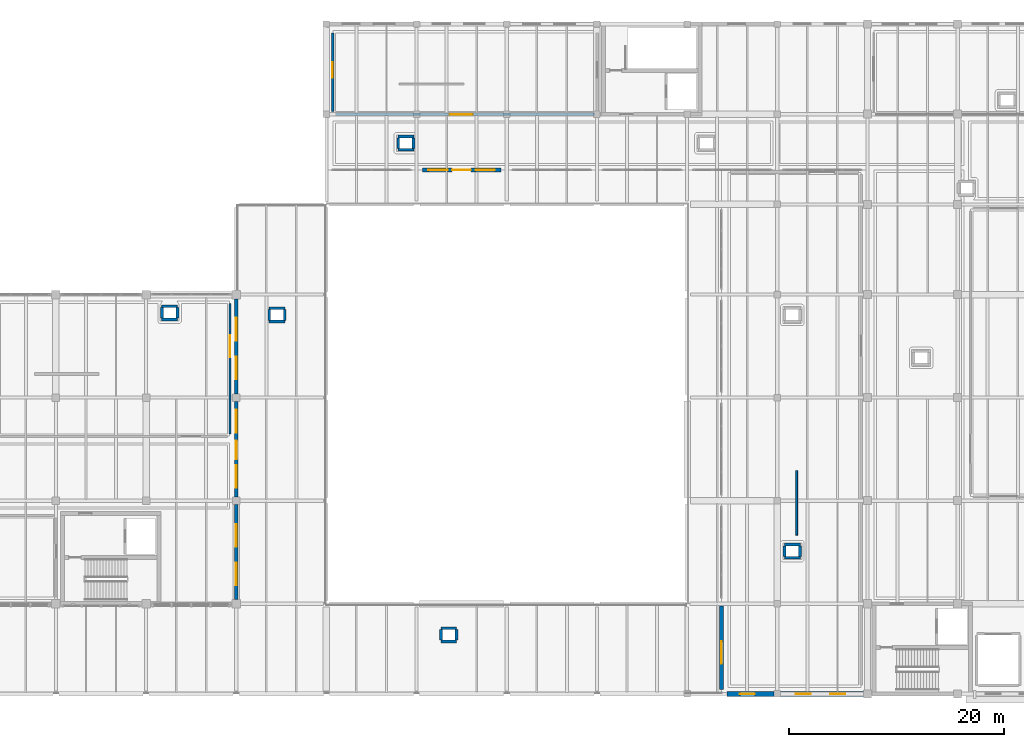
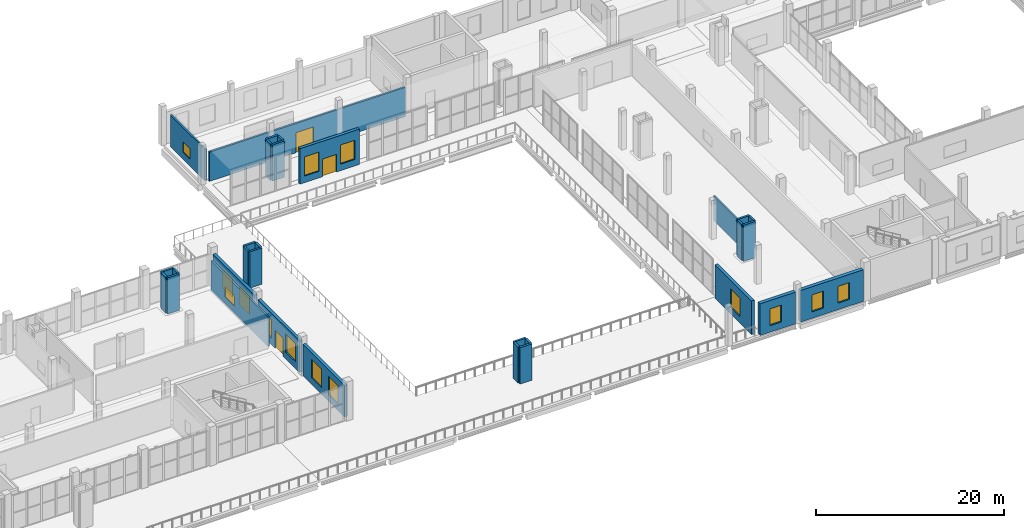
# One storey, part 60 of 77: 31 walls, 14 windows, 3 doors, 17 openings.
"""IFC4 building model written with IfcOpenShell, lengths in metres."""

from ifc_helpers import new_model, si_unit, direction, frame, frame_2d, origin, place, context, subcontext, project, spatial, rectangle, extrude, material, layer, layer_set, type_object, element, fill, save


model = new_model("IFC4")

# Units and contexts
model_context = context("Model", 3, precision=1e-05, world=origin(), true_north=direction((0.0, 1.0)))
body_context = subcontext(model_context, "Body", "Model", "MODEL_VIEW")
ifc_project = project(units=[si_unit("LENGTHUNIT", "METRE"), si_unit("AREAUNIT", "SQUARE_METRE"), si_unit("VOLUMEUNIT", "CUBIC_METRE"), si_unit("PLANEANGLEUNIT", "RADIAN"), si_unit("MASSUNIT", "GRAM", prefix="KILO")], contexts=[model_context])

# Site, building, storey
site_placement = place(None, origin())
site = spatial("IfcSite", under=ifc_project, at=site_placement, CompositionType="ELEMENT")
building_placement = place(site_placement, origin())
building = spatial("IfcBuilding", under=site, at=building_placement, Name="Zulmaris Art Gallery", CompositionType="ELEMENT")
storey_placement = place(building_placement, frame((0.0, 0.0, 15.60009765625)))
storey = spatial("IfcBuildingStorey", under=building, at=storey_placement, Name="L03", CompositionType="ELEMENT", Elevation=15.60009765625)

# Wall, opening, window
ifc_material_1 = material(Name="Omani Cream Limestone Ashlar Masonry", Category="masonry")
ifc_layer_1 = layer(ifc_material_1, 0.43994140625)
ifc_layer_set_1 = layer_set([ifc_layer_1], Name="Omani Cream Limestone Ashlar Masonry")
wall_type_1 = type_object("IfcWallType", Name="ENV-WALL-EW01", PredefinedType="SOLIDWALL", material=ifc_layer_set_1)
wall_1_placement = place(storey_placement, frame((128.52001953125, 13.199951171875, 0.0), z_axis=(0.0, 0.0, 1.0), x_axis=(1.0, 0.0, 0.0)))
wall_1 = element("IfcWall", 1, at=wall_1_placement, inside=storey, type_object=wall_type_1, Name="L03 V4 South Facade W", PredefinedType="SOLIDWALL", context=body_context, shape_type="SweptSolid", body=[
    extrude(rectangle(XDim=4.3779296875, YDim=0.43994140625, at=frame_2d((2.18896484375, 0.0))), origin(), (0.0, 0.0, 1.0), 4.119873046875),
])
opening_1_placement = place(wall_1_placement, frame((1.199951171875, 0.0, 0.85009765625)))
opening_1 = element("IfcOpeningElement", 2, at=opening_1_placement, cuts=wall_1, Name="Opening W04", PredefinedType="OPENING", context=body_context, shape_type="SweptSolid", body=[
    extrude(rectangle(XDim=1.39990234375, YDim=2.199951171875, at=frame_2d((0.699951171875, 1.10009765625))), frame((0.0, 0.22998046875, 0.0), z_axis=(0.0, -1.0, 0.0), x_axis=(1.0, 0.0, 0.0)), (0.0, 0.0, 1.0), 0.4599609375),
])
ifc_material_2 = material(Name="Deep-Reveal Limestone Slot Window", Category="masonry")
window_type_1 = type_object("IfcWindowType", Name="WIN-W04", PartitioningType="SINGLE_PANEL", PredefinedType="WINDOW", material=ifc_material_2)
window_1_placement = place(opening_1_placement, origin())
window_1 = element("IfcWindow", 3, at=window_1_placement, inside=storey, type_object=window_type_1, Name="L03 exterior window W04", OverallHeight=2.199951171875, OverallWidth=1.39990234375, PartitioningType="SINGLE_PANEL", PredefinedType="WINDOW", context=body_context, shape_type="SweptSolid", body=[
    extrude(rectangle(XDim=1.39990234375, YDim=2.199951171875, at=frame_2d((0.699951171875, 1.10009765625))), frame((0.0, 0.030029296875, 0.0), z_axis=(0.0, -1.0, 0.0), x_axis=(1.0, 0.0, 0.0)), (0.0, 0.0, 1.0), 0.06005859375),
])
fill(opening_1, window_1)

# Wall, openings, windows
wall_2_placement = place(storey_placement, frame((133.501953125, 13.199951171875, 0.0), z_axis=(0.0, 0.0, 1.0), x_axis=(1.0, 0.0, 0.0)))
wall_2 = element("IfcWall", 4, at=wall_2_placement, inside=storey, type_object=wall_type_1, Name="L03 V4 South Facade E", PredefinedType="SOLIDWALL", context=body_context, shape_type="SweptSolid", body=[
    extrude(rectangle(XDim=7.720947265625, YDim=0.43994140625, at=frame_2d((3.8603515625, 0.0))), origin(), (0.0, 0.0, 1.0), 4.10986328125),
])
opening_2_placement = place(wall_2_placement, frame((1.41796875, 0.0, 0.85009765625)))
opening_2 = element("IfcOpeningElement", 5, at=opening_2_placement, cuts=wall_2, Name="Opening W04", PredefinedType="OPENING", context=body_context, shape_type="SweptSolid", body=[
    extrude(rectangle(XDim=1.39990234375, YDim=2.199951171875, at=frame_2d((0.699951171875, 1.10009765625))), frame((0.0, 0.22998046875, 0.0), z_axis=(0.0, -1.0, 0.0), x_axis=(1.0, 0.0, 0.0)), (0.0, 0.0, 1.0), 0.4599609375),
])
opening_3_placement = place(wall_2_placement, frame((4.617919921875, 0.0, 0.85009765625)))
opening_3 = element("IfcOpeningElement", 6, at=opening_3_placement, cuts=wall_2, Name="Opening W04", PredefinedType="OPENING", context=body_context, shape_type="SweptSolid", body=[
    extrude(rectangle(XDim=1.39990234375, YDim=2.199951171875, at=frame_2d((0.699951171875, 1.10009765625))), frame((0.0, 0.22998046875, 0.0), z_axis=(0.0, -1.0, 0.0), x_axis=(1.0, 0.0, 0.0)), (0.0, 0.0, 1.0), 0.4599609375),
])
window_2_placement = place(opening_2_placement, origin())
window_2 = element("IfcWindow", 7, at=window_2_placement, inside=storey, type_object=window_type_1, Name="L03 exterior window W04", OverallHeight=2.199951171875, OverallWidth=1.39990234375, PartitioningType="SINGLE_PANEL", PredefinedType="WINDOW", context=body_context, shape_type="SweptSolid", body=[
    extrude(rectangle(XDim=1.39990234375, YDim=2.199951171875, at=frame_2d((0.699951171875, 1.10009765625))), frame((0.0, 0.030029296875, 0.0), z_axis=(0.0, -1.0, 0.0), x_axis=(1.0, 0.0, 0.0)), (0.0, 0.0, 1.0), 0.06005859375),
])
fill(opening_2, window_2)
window_3_placement = place(opening_3_placement, origin())
window_3 = element("IfcWindow", 8, at=window_3_placement, inside=storey, type_object=window_type_1, Name="L03 exterior window W04", OverallHeight=2.199951171875, OverallWidth=1.39990234375, PartitioningType="SINGLE_PANEL", PredefinedType="WINDOW", context=body_context, shape_type="SweptSolid", body=[
    extrude(rectangle(XDim=1.39990234375, YDim=2.199951171875, at=frame_2d((0.699951171875, 1.10009765625))), frame((0.0, 0.030029296875, 0.0), z_axis=(0.0, -1.0, 0.0), x_axis=(1.0, 0.0, 0.0)), (0.0, 0.0, 1.0), 0.06005859375),
])
fill(opening_3, window_3)

# Wall, openings, door, windows
ifc_material_3 = material(Name="Honed Omani Travertine Insulated Wall", Category="masonry")
ifc_layer_2 = layer(ifc_material_3, 0.360107421875)
ifc_layer_set_2 = layer_set([ifc_layer_2], Name="Honed Omani Travertine Insulated Wall")
wall_type_2 = type_object("IfcWallType", Name="ENV-WALL-EW03", PredefinedType="SOLIDWALL", material=ifc_layer_set_2)
wall_3_placement = place(storey_placement, frame((82.800048828125, 31.552001953125, 0.0), z_axis=(0.0, 0.0, 1.0), x_axis=(0.0, 1.0, 0.0)))
wall_3 = element("IfcWall", 9, at=wall_3_placement, inside=storey, type_object=wall_type_2, Name="L03 V1 East Wall onto V2 Sculpture Roof Terrace", PredefinedType="SOLIDWALL", context=body_context, shape_type="SweptSolid", body=[
    extrude(rectangle(XDim=8.89599609375, YDim=0.360107421875, at=frame_2d((4.447998046875, 0.0))), origin(), (0.0, 0.0, 1.0), 4.10986328125),
])
opening_4_placement = place(wall_3_placement, frame((0.847900390625, 0.0, 0.85009765625)))
opening_4 = element("IfcOpeningElement", 10, at=opening_4_placement, cuts=wall_3, Name="Opening W03", PredefinedType="OPENING", context=body_context, shape_type="SweptSolid", body=[
    extrude(rectangle(XDim=2.10009765625, YDim=2.39990234375, at=frame_2d((1.050048828125, 1.199951171875))), frame((0.0, 0.18994140625, 0.0), z_axis=(0.0, -1.0, 0.0), x_axis=(1.0, 0.0, 0.0)), (0.0, 0.0, 1.0), 0.380126953125),
])
opening_5_placement = place(wall_3_placement, frame((5.998046875, 0.0, 0.85009765625)))
opening_5 = element("IfcOpeningElement", 11, at=opening_5_placement, cuts=wall_3, Name="Opening W03", PredefinedType="OPENING", context=body_context, shape_type="SweptSolid", body=[
    extrude(rectangle(XDim=2.10009765625, YDim=2.39990234375, at=frame_2d((1.050048828125, 1.199951171875))), frame((0.0, 0.18994140625, 0.0), z_axis=(0.0, -1.0, 0.0), x_axis=(1.0, 0.0, 0.0)), (0.0, 0.0, 1.0), 0.380126953125),
])
opening_6_placement = place(wall_3_placement, frame((3.498046875, 0.0, 0.0)))
opening_6 = element("IfcOpeningElement", 12, at=opening_6_placement, cuts=wall_3, Name="Opening TD01", PredefinedType="OPENING", context=body_context, shape_type="SweptSolid", body=[
    extrude(rectangle(XDim=1.75, YDim=2.300048828125, at=frame_2d((0.875, 1.14990234375))), frame((0.0, 0.18994140625, 0.0), z_axis=(0.0, -1.0, 0.0), x_axis=(1.0, 0.0, 0.0)), (0.0, 0.0, 1.0), 0.380126953125),
])
ifc_material_4 = material(Name="Bronze-Framed Terrace Access Double Door", Category="glass")
door_type_1 = type_object("IfcDoorType", Name="EDOOR-TD01", OperationType="DOUBLE_SWING_LEFT", PredefinedType="DOOR", material=ifc_material_4)
door_1_placement = place(opening_6_placement, origin())
door_1 = element("IfcDoor", 13, at=door_1_placement, inside=storey, type_object=door_type_1, Name="L03 V1 East Sculpture Roof Terrace Door", OperationType="DOUBLE_SWING_LEFT", OverallHeight=2.300048828125, OverallWidth=1.75, PredefinedType="DOOR", context=body_context, shape_type="SweptSolid", body=[
    extrude(rectangle(XDim=1.75, YDim=2.300048828125, at=frame_2d((0.875, 1.14990234375))), frame((0.0, 0.02490234375, 0.0), z_axis=(0.0, -1.0, 0.0), x_axis=(1.0, 0.0, 0.0)), (0.0, 0.0, 1.0), 0.050048828125),
])
fill(opening_6, door_1)
ifc_material_5 = material(Name="Double-Glazed Bronze-Framed Studio Window", Category="glass")
window_type_2 = type_object("IfcWindowType", Name="WIN-W03", PartitioningType="SINGLE_PANEL", PredefinedType="WINDOW", material=ifc_material_5)
window_4_placement = place(opening_4_placement, origin())
window_4 = element("IfcWindow", 14, at=window_4_placement, inside=storey, type_object=window_type_2, Name="L03 exterior window W03", OverallHeight=2.39990234375, OverallWidth=2.10009765625, PartitioningType="SINGLE_PANEL", PredefinedType="WINDOW", context=body_context, shape_type="SweptSolid", body=[
    extrude(rectangle(XDim=2.10009765625, YDim=2.39990234375, at=frame_2d((1.050048828125, 1.199951171875))), frame((0.0, 0.030029296875, 0.0), z_axis=(0.0, -1.0, 0.0), x_axis=(1.0, 0.0, 0.0)), (0.0, 0.0, 1.0), 0.06005859375),
])
fill(opening_4, window_4)
window_5_placement = place(opening_5_placement, origin())
window_5 = element("IfcWindow", 15, at=window_5_placement, inside=storey, type_object=window_type_2, Name="L03 exterior window W03", OverallHeight=2.39990234375, OverallWidth=2.10009765625, PartitioningType="SINGLE_PANEL", PredefinedType="WINDOW", context=body_context, shape_type="SweptSolid", body=[
    extrude(rectangle(XDim=2.10009765625, YDim=2.39990234375, at=frame_2d((1.050048828125, 1.199951171875))), frame((0.0, 0.030029296875, 0.0), z_axis=(0.0, -1.0, 0.0), x_axis=(1.0, 0.0, 0.0)), (0.0, 0.0, 1.0), 0.06005859375),
])
fill(opening_5, window_5)

wall_4_placement = place(storey_placement, frame((100.14990234375, 62.0, 0.0), z_axis=(0.0, 0.0, 1.0), x_axis=(1.0, 0.0, 0.0)))
wall_4 = element("IfcWall", 16, at=wall_4_placement, inside=storey, type_object=wall_type_2, Name="L03 V4 Setback Terrace Limestone Portal", PredefinedType="SOLIDWALL", context=body_context, shape_type="SweptSolid", body=[
    extrude(rectangle(XDim=7.300048828125, YDim=0.360107421875, at=frame_2d((3.64990234375, 0.0))), origin(), (0.0, 0.0, 1.0), 4.599853515625),
])
opening_7_placement = place(wall_4_placement, frame((0.550048828125, 0.0, 0.85009765625)))
opening_7 = element("IfcOpeningElement", 17, at=opening_7_placement, cuts=wall_4, Name="Opening W02", PredefinedType="OPENING", context=body_context, shape_type="SweptSolid", body=[
    extrude(rectangle(XDim=1.800048828125, YDim=2.5, at=frame_2d((0.89990234375, 1.25))), frame((0.0, 0.18994140625, 0.0), z_axis=(0.0, -1.0, 0.0), x_axis=(1.0, 0.0, 0.0)), (0.0, 0.0, 1.0), 0.380126953125),
])
opening_8_placement = place(wall_4_placement, frame((4.949951171875, 0.0, 0.85009765625)))
opening_8 = element("IfcOpeningElement", 18, at=opening_8_placement, cuts=wall_4, Name="Opening W02", PredefinedType="OPENING", context=body_context, shape_type="SweptSolid", body=[
    extrude(rectangle(XDim=1.800048828125, YDim=2.5, at=frame_2d((0.89990234375, 1.25))), frame((0.0, 0.18994140625, 0.0), z_axis=(0.0, -1.0, 0.0), x_axis=(1.0, 0.0, 0.0)), (0.0, 0.0, 1.0), 0.380126953125),
])
opening_9_placement = place(wall_4_placement, frame((2.75, 0.0, 0.0)))
opening_9 = element("IfcOpeningElement", 19, at=opening_9_placement, cuts=wall_4, Name="Opening TD01", PredefinedType="OPENING", context=body_context, shape_type="SweptSolid", body=[
    extrude(rectangle(XDim=1.75, YDim=2.300048828125, at=frame_2d((0.875, 1.14990234375))), frame((0.0, 0.18994140625, 0.0), z_axis=(0.0, -1.0, 0.0), x_axis=(1.0, 0.0, 0.0)), (0.0, 0.0, 1.0), 0.380126953125),
])
door_2_placement = place(opening_9_placement, origin())
door_2 = element("IfcDoor", 20, at=door_2_placement, inside=storey, type_object=door_type_1, Name="L03 V4 Setback Terrace Access Door", OperationType="DOUBLE_SWING_LEFT", OverallHeight=2.300048828125, OverallWidth=1.75, PredefinedType="DOOR", context=body_context, shape_type="SweptSolid", body=[
    extrude(rectangle(XDim=1.75, YDim=2.300048828125, at=frame_2d((0.875, 1.14990234375))), frame((0.0, 0.02490234375, 0.0), z_axis=(0.0, -1.0, 0.0), x_axis=(1.0, 0.0, 0.0)), (0.0, 0.0, 1.0), 0.050048828125),
])
fill(opening_9, door_2)
ifc_material_6 = material(Name="Double-Glazed Solar-Control Low-E Window", Category="glass")
window_type_3 = type_object("IfcWindowType", Name="WIN-W02", PartitioningType="SINGLE_PANEL", PredefinedType="WINDOW", material=ifc_material_6)
window_6_placement = place(opening_7_placement, origin())
window_6 = element("IfcWindow", 21, at=window_6_placement, inside=storey, type_object=window_type_3, Name="L03 exterior window W02", OverallHeight=2.5, OverallWidth=1.800048828125, PartitioningType="SINGLE_PANEL", PredefinedType="WINDOW", context=body_context, shape_type="SweptSolid", body=[
    extrude(rectangle(XDim=1.800048828125, YDim=2.5, at=frame_2d((0.89990234375, 1.25))), frame((0.0, 0.030029296875, 0.0), z_axis=(0.0, -1.0, 0.0), x_axis=(1.0, 0.0, 0.0)), (0.0, 0.0, 1.0), 0.06005859375),
])
fill(opening_7, window_6)
window_7_placement = place(opening_8_placement, origin())
window_7 = element("IfcWindow", 22, at=window_7_placement, inside=storey, type_object=window_type_3, Name="L03 exterior window W02", OverallHeight=2.5, OverallWidth=1.800048828125, PartitioningType="SINGLE_PANEL", PredefinedType="WINDOW", context=body_context, shape_type="SweptSolid", body=[
    extrude(rectangle(XDim=1.800048828125, YDim=2.5, at=frame_2d((0.89990234375, 1.25))), frame((0.0, 0.030029296875, 0.0), z_axis=(0.0, -1.0, 0.0), x_axis=(1.0, 0.0, 0.0)), (0.0, 0.0, 1.0), 0.06005859375),
])
fill(opening_8, window_7)

# Wall, opening, window
wall_5_placement = place(storey_placement, frame((128.0, 13.60009765625, 0.0), z_axis=(0.0, 0.0, 1.0), x_axis=(0.0, 1.0, 0.0)))
wall_5 = element("IfcWall", 23, at=wall_5_placement, inside=storey, type_object=wall_type_2, Name="L03 V4 West Terrace Wall", PredefinedType="SOLIDWALL", context=body_context, shape_type="SweptSolid", body=[
    extrude(rectangle(XDim=7.7998046875, YDim=0.360107421875, at=frame_2d((3.89990234375, 0.0))), origin(), (0.0, 0.0, 1.0), 4.35986328125),
])
opening_10_placement = place(wall_5_placement, frame((2.39990234375, 0.0, 0.85009765625)))
opening_10 = element("IfcOpeningElement", 24, at=opening_10_placement, cuts=wall_5, Name="Opening W03", PredefinedType="OPENING", context=body_context, shape_type="SweptSolid", body=[
    extrude(rectangle(XDim=2.10009765625, YDim=2.39990234375, at=frame_2d((1.050048828125, 1.199951171875))), frame((0.0, 0.18994140625, 0.0), z_axis=(0.0, -1.0, 0.0), x_axis=(1.0, 0.0, 0.0)), (0.0, 0.0, 1.0), 0.380126953125),
])
window_8_placement = place(opening_10_placement, origin())
window_8 = element("IfcWindow", 25, at=window_8_placement, inside=storey, type_object=window_type_2, Name="L03 exterior window W03", OverallHeight=2.39990234375, OverallWidth=2.10009765625, PartitioningType="SINGLE_PANEL", PredefinedType="WINDOW", context=body_context, shape_type="SweptSolid", body=[
    extrude(rectangle(XDim=2.10009765625, YDim=2.39990234375, at=frame_2d((1.050048828125, 1.199951171875))), frame((0.0, 0.030029296875, 0.0), z_axis=(0.0, -1.0, 0.0), x_axis=(1.0, 0.0, 0.0)), (0.0, 0.0, 1.0), 0.06005859375),
])
fill(opening_10, window_8)

# Wall, openings, windows
wall_6_placement = place(storey_placement, frame((82.800048828125, 22.001953125, 0.0), z_axis=(0.0, 0.0, 1.0), x_axis=(0.0, 1.0, 0.0)))
wall_6 = element("IfcWall", 26, at=wall_6_placement, inside=storey, type_object=wall_type_2, Name="L03 V1 East Facade (21.6..31.2)", PredefinedType="SOLIDWALL", context=body_context, shape_type="SweptSolid", body=[
    extrude(rectangle(XDim=8.845947265625, YDim=0.360107421875, at=frame_2d((4.4228515625, 0.0))), origin(), (0.0, 0.0, 1.0), 4.119873046875),
])
opening_11_placement = place(wall_6_placement, frame((1.318115234375, 0.0, 0.85009765625)))
opening_11 = element("IfcOpeningElement", 27, at=opening_11_placement, cuts=wall_6, Name="Opening W03", PredefinedType="OPENING", context=body_context, shape_type="SweptSolid", body=[
    extrude(rectangle(XDim=2.10009765625, YDim=2.39990234375, at=frame_2d((1.050048828125, 1.199951171875))), frame((0.0, 0.18994140625, 0.0), z_axis=(0.0, -1.0, 0.0), x_axis=(1.0, 0.0, 0.0)), (0.0, 0.0, 1.0), 0.380126953125),
])
opening_12_placement = place(wall_6_placement, frame((4.91796875, 0.0, 0.85009765625)))
opening_12 = element("IfcOpeningElement", 28, at=opening_12_placement, cuts=wall_6, Name="Opening W03", PredefinedType="OPENING", context=body_context, shape_type="SweptSolid", body=[
    extrude(rectangle(XDim=2.10009765625, YDim=2.39990234375, at=frame_2d((1.050048828125, 1.199951171875))), frame((0.0, 0.18994140625, 0.0), z_axis=(0.0, -1.0, 0.0), x_axis=(1.0, 0.0, 0.0)), (0.0, 0.0, 1.0), 0.380126953125),
])
window_9_placement = place(opening_11_placement, origin())
window_9 = element("IfcWindow", 29, at=window_9_placement, inside=storey, type_object=window_type_2, Name="L03 exterior window W03", OverallHeight=2.39990234375, OverallWidth=2.10009765625, PartitioningType="SINGLE_PANEL", PredefinedType="WINDOW", context=body_context, shape_type="SweptSolid", body=[
    extrude(rectangle(XDim=2.10009765625, YDim=2.39990234375, at=frame_2d((1.050048828125, 1.199951171875))), frame((0.0, 0.030029296875, 0.0), z_axis=(0.0, -1.0, 0.0), x_axis=(1.0, 0.0, 0.0)), (0.0, 0.0, 1.0), 0.06005859375),
])
fill(opening_11, window_9)
window_10_placement = place(opening_12_placement, origin())
window_10 = element("IfcWindow", 30, at=window_10_placement, inside=storey, type_object=window_type_2, Name="L03 exterior window W03", OverallHeight=2.39990234375, OverallWidth=2.10009765625, PartitioningType="SINGLE_PANEL", PredefinedType="WINDOW", context=body_context, shape_type="SweptSolid", body=[
    extrude(rectangle(XDim=2.10009765625, YDim=2.39990234375, at=frame_2d((1.050048828125, 1.199951171875))), frame((0.0, 0.030029296875, 0.0), z_axis=(0.0, -1.0, 0.0), x_axis=(1.0, 0.0, 0.0)), (0.0, 0.0, 1.0), 0.06005859375),
])
fill(opening_12, window_10)

wall_7_placement = place(storey_placement, frame((82.800048828125, 41.152099609375, 0.0), z_axis=(0.0, 0.0, 1.0), x_axis=(0.0, 1.0, 0.0)))
wall_7 = element("IfcWall", 31, at=wall_7_placement, inside=storey, type_object=wall_type_2, Name="L03 V1 East Facade (40.8..50.4)", PredefinedType="SOLIDWALL", context=body_context, shape_type="SweptSolid", body=[
    extrude(rectangle(XDim=8.845947265625, YDim=0.360107421875, at=frame_2d((4.4228515625, 0.0))), origin(), (0.0, 0.0, 1.0), 4.219970703125),
])
opening_13_placement = place(wall_7_placement, frame((1.367919921875, 0.0, 0.85009765625)))
opening_13 = element("IfcOpeningElement", 32, at=opening_13_placement, cuts=wall_7, Name="Opening W03", PredefinedType="OPENING", context=body_context, shape_type="SweptSolid", body=[
    extrude(rectangle(XDim=2.10009765625, YDim=2.39990234375, at=frame_2d((1.050048828125, 1.199951171875))), frame((0.0, 0.18994140625, 0.0), z_axis=(0.0, -1.0, 0.0), x_axis=(1.0, 0.0, 0.0)), (0.0, 0.0, 1.0), 0.380126953125),
])
opening_14_placement = place(wall_7_placement, frame((4.968017578125, 0.0, 0.85009765625)))
opening_14 = element("IfcOpeningElement", 33, at=opening_14_placement, cuts=wall_7, Name="Opening W03", PredefinedType="OPENING", context=body_context, shape_type="SweptSolid", body=[
    extrude(rectangle(XDim=2.10009765625, YDim=2.39990234375, at=frame_2d((1.050048828125, 1.199951171875))), frame((0.0, 0.18994140625, 0.0), z_axis=(0.0, -1.0, 0.0), x_axis=(1.0, 0.0, 0.0)), (0.0, 0.0, 1.0), 0.380126953125),
])
window_11_placement = place(opening_13_placement, origin())
window_11 = element("IfcWindow", 34, at=window_11_placement, inside=storey, type_object=window_type_2, Name="L03 exterior window W03", OverallHeight=2.39990234375, OverallWidth=2.10009765625, PartitioningType="SINGLE_PANEL", PredefinedType="WINDOW", context=body_context, shape_type="SweptSolid", body=[
    extrude(rectangle(XDim=2.10009765625, YDim=2.39990234375, at=frame_2d((1.050048828125, 1.199951171875))), frame((0.0, 0.030029296875, 0.0), z_axis=(0.0, -1.0, 0.0), x_axis=(1.0, 0.0, 0.0)), (0.0, 0.0, 1.0), 0.06005859375),
])
fill(opening_13, window_11)
window_12_placement = place(opening_14_placement, origin())
window_12 = element("IfcWindow", 35, at=window_12_placement, inside=storey, type_object=window_type_2, Name="L03 exterior window W03", OverallHeight=2.39990234375, OverallWidth=2.10009765625, PartitioningType="SINGLE_PANEL", PredefinedType="WINDOW", context=body_context, shape_type="SweptSolid", body=[
    extrude(rectangle(XDim=2.10009765625, YDim=2.39990234375, at=frame_2d((1.050048828125, 1.199951171875))), frame((0.0, 0.030029296875, 0.0), z_axis=(0.0, -1.0, 0.0), x_axis=(1.0, 0.0, 0.0)), (0.0, 0.0, 1.0), 0.06005859375),
])
fill(opening_14, window_12)

# Wall
ifc_material_7 = material(Name="Track-Hung Acoustic Gallery Display Wall B", Category="timber")
ifc_layer_3 = layer(ifc_material_7, 0.181884765625)
ifc_layer_set_3 = layer_set([ifc_layer_3], Name="Track-Hung Acoustic Gallery Display Wall B")
wall_type_3 = type_object("IfcWallType", Name="IWALL-MW02", PredefinedType="MOVABLE", material=ifc_layer_set_3)
wall_8_placement = place(storey_placement, frame((135.0, 28.0, 0.0), z_axis=(0.0, 0.0, 1.0), x_axis=(0.0, 1.0, 0.0)))
element("IfcWall", 36, at=wall_8_placement, inside=storey, type_object=wall_type_3, Name="L03 Movable Gallery Display Wall 18", PredefinedType="MOVABLE", context=body_context, shape_type="SweptSolid", body=[
    extrude(rectangle(XDim=6.0, YDim=0.181884765625, at=frame_2d((3.0, 0.0))), origin(), (0.0, 0.0, 1.0), 3.199951171875),
])

# Wall, opening, window
ifc_material_8 = material(Name="Fire-Rated Corridor Compartment Wall", Category="masonry")
ifc_layer_4 = layer(ifc_material_8, 0.205078125)
ifc_layer_set_4 = layer_set([ifc_layer_4], Name="Fire-Rated Corridor Compartment Wall")
wall_type_4 = type_object("IfcWallType", Name="IWALL-PW08", PredefinedType="PARTITIONING", material=ifc_layer_set_4)
wall_9_placement = place(storey_placement, frame((82.219970703125, 37.429931640625, 0.0), z_axis=(0.0, 0.0, 1.0), x_axis=(0.0, 1.0, 0.0)))
wall_9 = element("IfcWall", 37, at=wall_9_placement, inside=storey, type_object=wall_type_4, Name="Sculpture Terrace Foyer & Bar E partition", PredefinedType="PARTITIONING", context=body_context, shape_type="SweptSolid", body=[
    extrude(rectangle(XDim=12.14013671875, YDim=0.205078125, at=frame_2d((6.070068359375, 0.0))), origin(), (0.0, 0.0, 1.0), 3.809814453125),
])
opening_15_placement = place(wall_9_placement, frame((7.14990234375, 0.0, 0.89990234375)))
opening_15 = element("IfcOpeningElement", 38, at=opening_15_placement, cuts=wall_9, Name="Opening IW10", PredefinedType="OPENING", context=body_context, shape_type="SweptSolid", body=[
    extrude(rectangle(XDim=2.02001953125, YDim=1.320068359375, at=frame_2d((1.010009765625, 0.66015625))), frame((0.0, 0.112548828125, 0.0), z_axis=(0.0, -1.0, 0.0), x_axis=(1.0, 0.0, 0.0)), (0.0, 0.0, 1.0), 0.22509765625),
])
ifc_material_9 = material(Name="Seminar Acoustic Viewing Window", Category="glass")
window_type_4 = type_object("IfcWindowType", Name="IWIN-IW10", PartitioningType="SINGLE_PANEL", PredefinedType="WINDOW", material=ifc_material_9)
window_13_placement = place(opening_15_placement, origin())
window_13 = element("IfcWindow", 39, at=window_13_placement, inside=storey, type_object=window_type_4, Name="L03 interior observation window IW10", OverallHeight=1.320068359375, OverallWidth=2.02001953125, PartitioningType="SINGLE_PANEL", PredefinedType="WINDOW", context=body_context, shape_type="SweptSolid", body=[
    extrude(rectangle(XDim=2.02001953125, YDim=1.320068359375, at=frame_2d((1.010009765625, 0.66015625))), frame((0.0, 0.030029296875, 0.0), z_axis=(0.0, -1.0, 0.0), x_axis=(1.0, 0.0, 0.0)), (0.0, 0.0, 1.0), 0.06005859375),
])
fill(opening_15, window_13)

# Wall, opening, door
ifc_material_10 = material(Name="Hygrometric Art Store Buffer Wall", Category="masonry")
ifc_layer_5 = layer(ifc_material_10, 0.219970703125)
ifc_layer_set_5 = layer_set([ifc_layer_5], Name="Hygrometric Art Store Buffer Wall")
wall_type_5 = type_object("IfcWallType", Name="IWALL-PW09", PredefinedType="PARTITIONING", material=ifc_layer_set_5)
wall_10_placement = place(storey_placement, frame((92.030029296875, 67.179931640625, 0.0), z_axis=(0.0, 0.0, 1.0), x_axis=(1.0, 0.0, 0.0)))
wall_10 = element("IfcWall", 40, at=wall_10_placement, inside=storey, type_object=wall_type_5, Name="Setback Terrace Pavilion Gallery North S partition", PredefinedType="PARTITIONING", context=body_context, shape_type="SweptSolid", body=[
    extrude(rectangle(XDim=24.139892578125, YDim=0.219970703125, at=frame_2d((12.06982421875, 0.0))), origin(), (0.0, 0.0, 1.0), 3.809814453125),
])
opening_16_placement = place(wall_10_placement, frame((10.64990234375, 0.0, 0.0)))
opening_16 = element("IfcOpeningElement", 41, at=opening_16_placement, cuts=wall_10, Name="Opening D26", PredefinedType="OPENING", context=body_context, shape_type="SweptSolid", body=[
    extrude(rectangle(XDim=2.139892578125, YDim=2.6201171875, at=frame_2d((1.06982421875, 1.31005859375))), frame((0.0, 0.119873046875, 0.0), z_axis=(0.0, -1.0, 0.0), x_axis=(1.0, 0.0, 0.0)), (0.0, 0.0, 1.0), 0.239990234375),
])
ifc_material_11 = material(Name="Cloister Pavilion Portal Door", Category="aluminium")
door_type_2 = type_object("IfcDoorType", Name="IDOOR-D26", OperationType="DOUBLE_SWING_RIGHT", PredefinedType="DOOR", material=ifc_material_11)
door_3_placement = place(opening_16_placement, origin())
door_3 = element("IfcDoor", 42, at=door_3_placement, inside=storey, type_object=door_type_2, Name="Setback Terrace Pavilion Gallery North Door", OperationType="DOUBLE_SWING_RIGHT", OverallHeight=2.6201171875, OverallWidth=2.139892578125, PredefinedType="DOOR", context=body_context, shape_type="SweptSolid", body=[
    extrude(rectangle(XDim=2.139892578125, YDim=2.6201171875, at=frame_2d((1.06982421875, 1.31005859375))), frame((0.0, 0.02490234375, 0.0), z_axis=(0.0, -1.0, 0.0), x_axis=(1.0, 0.0, 0.0)), (0.0, 0.0, 1.0), 0.050048828125),
])
fill(opening_16, door_3)

# Wall, opening, window
wall_11_placement = place(storey_placement, frame((91.780029296875, 67.429931640625, 0.0), z_axis=(0.0, 0.0, 1.0), x_axis=(0.0, 1.0, 0.0)))
wall_11 = element("IfcWall", 43, at=wall_11_placement, inside=storey, type_object=wall_type_5, Name="Setback Terrace Pavilion Gallery North W partition", PredefinedType="PARTITIONING", context=body_context, shape_type="SweptSolid", body=[
    extrude(rectangle(XDim=7.340087890625, YDim=0.219970703125, at=frame_2d((3.669921875, 0.0))), origin(), (0.0, 0.0, 1.0), 4.119873046875),
])
opening_17_placement = place(wall_11_placement, frame((3.14990234375, 0.0, 0.89990234375)))
opening_17 = element("IfcOpeningElement", 44, at=opening_17_placement, cuts=wall_11, Name="Opening IW01", PredefinedType="OPENING", context=body_context, shape_type="SweptSolid", body=[
    extrude(rectangle(XDim=1.47998046875, YDim=1.35009765625, at=frame_2d((0.739990234375, 0.675048828125))), frame((0.0, 0.119873046875, 0.0), z_axis=(0.0, -1.0, 0.0), x_axis=(1.0, 0.0, 0.0)), (0.0, 0.0, 1.0), 0.239990234375),
])
ifc_material_12 = material(Name="Conservation Studio Viewing Window", Category="glass")
window_type_5 = type_object("IfcWindowType", Name="IWIN-IW01", PartitioningType="SINGLE_PANEL", PredefinedType="WINDOW", material=ifc_material_12)
window_14_placement = place(opening_17_placement, origin())
window_14 = element("IfcWindow", 45, at=window_14_placement, inside=storey, type_object=window_type_5, Name="L03 interior observation window IW01", OverallHeight=1.35009765625, OverallWidth=1.47998046875, PartitioningType="SINGLE_PANEL", PredefinedType="WINDOW", context=body_context, shape_type="SweptSolid", body=[
    extrude(rectangle(XDim=1.47998046875, YDim=1.35009765625, at=frame_2d((0.739990234375, 0.675048828125))), frame((0.0, 0.030029296875, 0.0), z_axis=(0.0, -1.0, 0.0), x_axis=(1.0, 0.0, 0.0)), (0.0, 0.0, 1.0), 0.06005859375),
])
fill(opening_17, window_14)

# Walls
ifc_material_13 = material(Name="MEP Riser & Smoke Shaft Enclosure Wall", Category="masonry")
ifc_layer_6 = layer(ifc_material_13, 0.2548828125)
ifc_layer_set_6 = layer_set([ifc_layer_6], Name="MEP Riser & Smoke Shaft Enclosure Wall")
wall_type_6 = type_object("IfcWallType", Name="IWALL-PW11", PredefinedType="PARTITIONING", material=ifc_layer_set_6)
for number, where, z_axis, x_axis, name in (
    (46, (75.860107421875, 49.320068359375, 0.0), (0.0, 0.0, 1.0), (1.0, 0.0, 0.0), "L03 MEP Riser 3 N wall"),
    (47, (75.860107421875, 48.080078125, 0.0), (0.0, 0.0, 1.0), (1.0, 0.0, 0.0), "L03 MEP Riser 3 S wall"),
):
    element("IfcWall", number, at=place(storey_placement, frame(where, z_axis=z_axis, x_axis=x_axis)), inside=storey, type_object=wall_type_6, Name=name, PredefinedType="PARTITIONING", context=body_context, shape_type="SweptSolid", body=[
        extrude(rectangle(XDim=1.47998046875, YDim=0.2548828125, at=frame_2d((0.739990234375, 0.0))), origin(), (0.0, 0.0, 1.0), 4.719970703125),
    ])
for number, where, z_axis, x_axis, name in (
    (48, (75.8798828125, 48.199951171875, 0.0), (0.0, 0.0, 1.0), (0.0, 1.0, 0.0), "L03 MEP Riser 3 W wall"),
    (49, (77.320068359375, 48.199951171875, 0.0), (0.0, 0.0, 1.0), (0.0, 1.0, 0.0), "L03 MEP Riser 3 E wall"),
):
    element("IfcWall", number, at=place(storey_placement, frame(where, z_axis=z_axis, x_axis=x_axis)), inside=storey, type_object=wall_type_6, Name=name, PredefinedType="PARTITIONING", context=body_context, shape_type="SweptSolid", body=[
        extrude(rectangle(XDim=1.0, YDim=0.2548828125, at=frame_2d((0.5, 0.0))), origin(), (0.0, 0.0, 1.0), 4.719970703125),
    ])
for number, where, z_axis, x_axis, name in (
    (50, (101.860107421875, 19.320068359375, 0.0), (0.0, 0.0, 1.0), (1.0, 0.0, 0.0), "L03 MEP Riser 5 N wall"),
    (51, (101.860107421875, 18.080078125, 0.0), (0.0, 0.0, 1.0), (1.0, 0.0, 0.0), "L03 MEP Riser 5 S wall"),
):
    element("IfcWall", number, at=place(storey_placement, frame(where, z_axis=z_axis, x_axis=x_axis)), inside=storey, type_object=wall_type_6, Name=name, PredefinedType="PARTITIONING", context=body_context, shape_type="SweptSolid", body=[
        extrude(rectangle(XDim=1.47998046875, YDim=0.2548828125, at=frame_2d((0.739990234375, 0.0))), origin(), (0.0, 0.0, 1.0), 4.719970703125),
    ])
for number, where, z_axis, x_axis, name in (
    (52, (101.8798828125, 18.199951171875, 0.0), (0.0, 0.0, 1.0), (0.0, 1.0, 0.0), "L03 MEP Riser 5 W wall"),
    (53, (103.320068359375, 18.199951171875, 0.0), (0.0, 0.0, 1.0), (0.0, 1.0, 0.0), "L03 MEP Riser 5 E wall"),
):
    element("IfcWall", number, at=place(storey_placement, frame(where, z_axis=z_axis, x_axis=x_axis)), inside=storey, type_object=wall_type_6, Name=name, PredefinedType="PARTITIONING", context=body_context, shape_type="SweptSolid", body=[
        extrude(rectangle(XDim=1.0, YDim=0.2548828125, at=frame_2d((0.5, 0.0))), origin(), (0.0, 0.0, 1.0), 4.719970703125),
    ])
for number, where, z_axis, x_axis, name in (
    (54, (85.860107421875, 49.1201171875, 0.0), (0.0, 0.0, 1.0), (1.0, 0.0, 0.0), "L03 MEP Riser 6 N wall"),
    (55, (85.860107421875, 47.8798828125, 0.0), (0.0, 0.0, 1.0), (1.0, 0.0, 0.0), "L03 MEP Riser 6 S wall"),
):
    element("IfcWall", number, at=place(storey_placement, frame(where, z_axis=z_axis, x_axis=x_axis)), inside=storey, type_object=wall_type_6, Name=name, PredefinedType="PARTITIONING", context=body_context, shape_type="SweptSolid", body=[
        extrude(rectangle(XDim=1.47998046875, YDim=0.2548828125, at=frame_2d((0.739990234375, 0.0))), origin(), (0.0, 0.0, 1.0), 4.719970703125),
    ])
for number, where, z_axis, x_axis, name in (
    (56, (85.8798828125, 48.0, 0.0), (0.0, 0.0, 1.0), (0.0, 1.0, 0.0), "L03 MEP Riser 6 W wall"),
    (57, (87.320068359375, 48.0, 0.0), (0.0, 0.0, 1.0), (0.0, 1.0, 0.0), "L03 MEP Riser 6 E wall"),
):
    element("IfcWall", number, at=place(storey_placement, frame(where, z_axis=z_axis, x_axis=x_axis)), inside=storey, type_object=wall_type_6, Name=name, PredefinedType="PARTITIONING", context=body_context, shape_type="SweptSolid", body=[
        extrude(rectangle(XDim=1.0, YDim=0.2548828125, at=frame_2d((0.5, 0.0))), origin(), (0.0, 0.0, 1.0), 4.719970703125),
    ])
for number, where, z_axis, x_axis, name in (
    (58, (97.860107421875, 65.1201171875, 0.0), (0.0, 0.0, 1.0), (1.0, 0.0, 0.0), "L03 MEP Riser 9 N wall"),
    (59, (97.860107421875, 63.8798828125, 0.0), (0.0, 0.0, 1.0), (1.0, 0.0, 0.0), "L03 MEP Riser 9 S wall"),
):
    element("IfcWall", number, at=place(storey_placement, frame(where, z_axis=z_axis, x_axis=x_axis)), inside=storey, type_object=wall_type_6, Name=name, PredefinedType="PARTITIONING", context=body_context, shape_type="SweptSolid", body=[
        extrude(rectangle(XDim=1.47998046875, YDim=0.2548828125, at=frame_2d((0.739990234375, 0.0))), origin(), (0.0, 0.0, 1.0), 4.719970703125),
    ])
for number, where, z_axis, x_axis, name in (
    (60, (97.8798828125, 64.0, 0.0), (0.0, 0.0, 1.0), (0.0, 1.0, 0.0), "L03 MEP Riser 9 W wall"),
    (61, (99.320068359375, 64.0, 0.0), (0.0, 0.0, 1.0), (0.0, 1.0, 0.0), "L03 MEP Riser 9 E wall"),
):
    element("IfcWall", number, at=place(storey_placement, frame(where, z_axis=z_axis, x_axis=x_axis)), inside=storey, type_object=wall_type_6, Name=name, PredefinedType="PARTITIONING", context=body_context, shape_type="SweptSolid", body=[
        extrude(rectangle(XDim=1.0, YDim=0.2548828125, at=frame_2d((0.5, 0.0))), origin(), (0.0, 0.0, 1.0), 4.719970703125),
    ])
for number, where, z_axis, x_axis, name in (
    (62, (133.860107421875, 27.1201171875, 0.0), (0.0, 0.0, 1.0), (1.0, 0.0, 0.0), "L03 MEP Riser 11 N wall"),
    (63, (133.860107421875, 25.8798828125, 0.0), (0.0, 0.0, 1.0), (1.0, 0.0, 0.0), "L03 MEP Riser 11 S wall"),
):
    element("IfcWall", number, at=place(storey_placement, frame(where, z_axis=z_axis, x_axis=x_axis)), inside=storey, type_object=wall_type_6, Name=name, PredefinedType="PARTITIONING", context=body_context, shape_type="SweptSolid", body=[
        extrude(rectangle(XDim=1.47998046875, YDim=0.2548828125, at=frame_2d((0.739990234375, 0.0))), origin(), (0.0, 0.0, 1.0), 4.719970703125),
    ])
for number, where, z_axis, x_axis, name in (
    (64, (133.8798828125, 26.0, 0.0), (0.0, 0.0, 1.0), (0.0, 1.0, 0.0), "L03 MEP Riser 11 W wall"),
    (65, (135.320068359375, 26.0, 0.0), (0.0, 0.0, 1.0), (0.0, 1.0, 0.0), "L03 MEP Riser 11 E wall"),
):
    element("IfcWall", number, at=place(storey_placement, frame(where, z_axis=z_axis, x_axis=x_axis)), inside=storey, type_object=wall_type_6, Name=name, PredefinedType="PARTITIONING", context=body_context, shape_type="SweptSolid", body=[
        extrude(rectangle(XDim=1.0, YDim=0.2548828125, at=frame_2d((0.5, 0.0))), origin(), (0.0, 0.0, 1.0), 4.719970703125),
    ])

save(model, "model.ifc")
